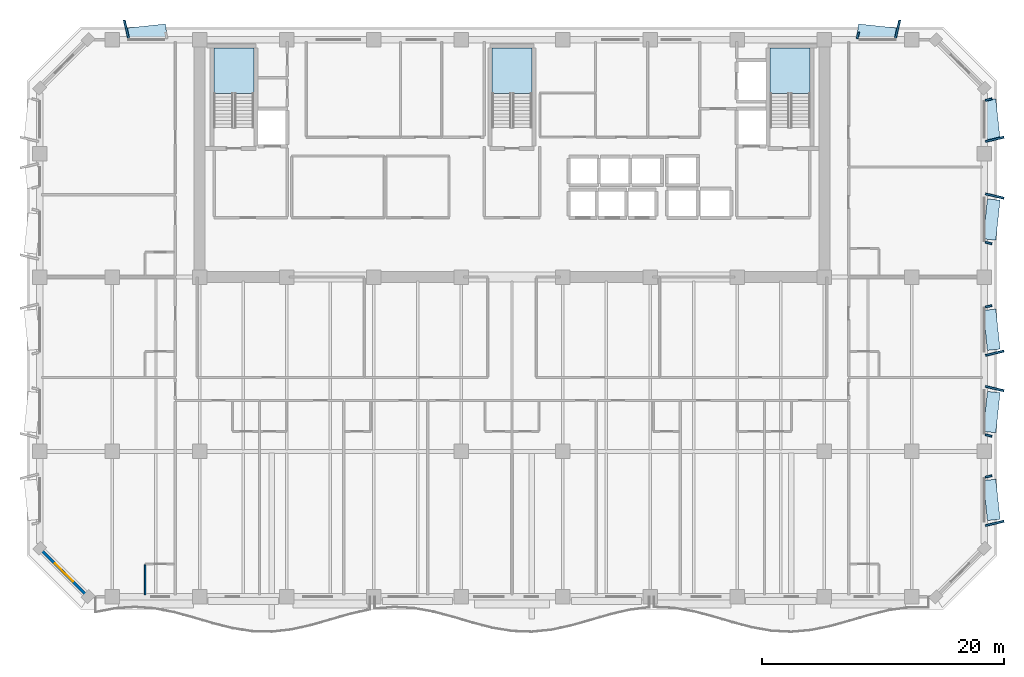
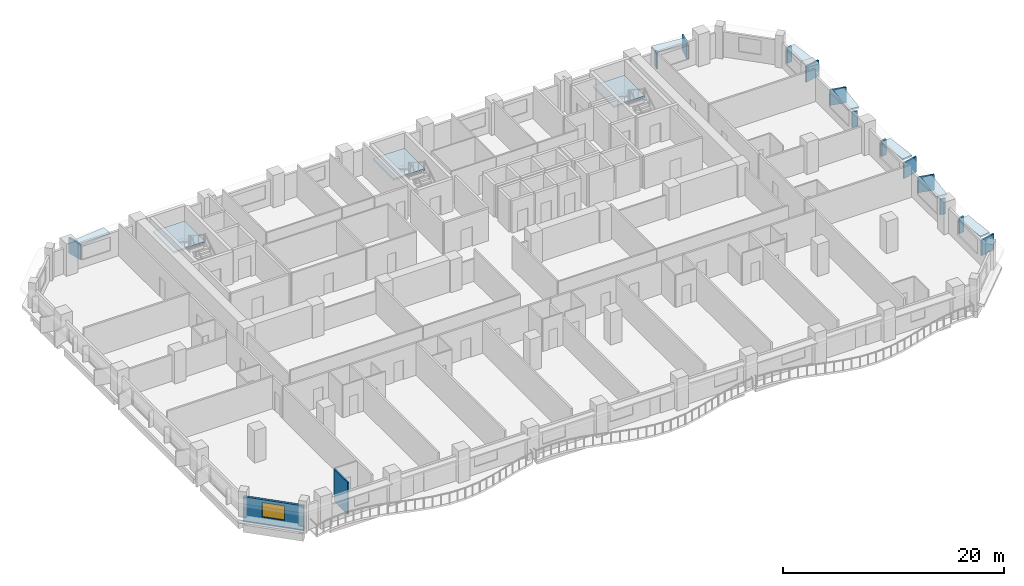
# One storey, part 3 of 14: 20 plates, 3 slabs, 2 walls, 1 window, 1 opening, 3 elements without a shape of their own.
"""IFC4 building model written with IfcOpenShell, lengths in metres."""

import ifcopenshell
import ifcopenshell.guid

model = None  # the IFC model being written
_history = None  # IfcOwnerHistory: only IFC2X3 demands one
_inside = {}  # id of a spatial element -> (the spatial element, [elements in it])
_under = {}  # id of a project, library or spatial element -> (it, [spatial elements below it])
_declared = {}  # id of a project -> (the project, [libraries it declares])
_typed = {}  # id of a type object -> (the type object, [elements of that type])
_made_of = {}  # id of a material, layer set ... -> (it, [elements and type objects made of it])


def new_model(schema):
    """Start an empty IFC model of exactly this schema.

    Asked for "IFC4X3", IfcOpenShell would pick the latest addendum, in which some entities
    have other attributes; the version numbers below select the first issue.
    IFC2X3 requires an IfcOwnerHistory on every rooted entity: one is made here for all.
    """
    global model, _history
    if schema == "IFC4X3":
        model = ifcopenshell.file(schema_version=(4, 3, 0, 0))
    else:
        model = ifcopenshell.file(schema=schema)
    _inside.clear()
    _under.clear()
    _declared.clear()
    _typed.clear()
    _made_of.clear()
    _history = None
    if model.schema == "IFC2X3":
        org = make("IfcOrganization", Name="unknown")
        user = make(
            "IfcPersonAndOrganization",
            ThePerson=make("IfcPerson", FamilyName="unknown"),
            TheOrganization=org,
        )
        app = make(
            "IfcApplication",
            ApplicationDeveloper=org,
            Version="unknown",
            ApplicationFullName="unknown",
            ApplicationIdentifier="unknown",
        )
        _history = make(
            "IfcOwnerHistory",
            OwningUser=user,
            OwningApplication=app,
            ChangeAction="ADDED",
            CreationDate=0,
        )
    return model


def make(cls, **values):
    """One entity of the class cls with the attributes given. An attribute that is None is left unset."""
    return model.create_entity(
        cls, **{name: value for name, value in values.items() if value is not None}
    )


def rooted(cls, **values):
    """An entity with a GlobalId (a new one), such as an element, a storey or a relation."""
    return make(cls, GlobalId=ifcopenshell.guid.new(), OwnerHistory=_history, **values)


def si_unit(unit_type, name, prefix=None):
    """IfcSIUnit, for example si_unit("LENGTHUNIT", "METRE", prefix="MILLI")."""
    return make("IfcSIUnit", UnitType=unit_type, Prefix=prefix, Name=name)


def assignment(units):
    """IfcUnitAssignment: the units of a project."""
    return None if units is None else make("IfcUnitAssignment", Units=units)


def point(xyz):
    """IfcCartesianPoint."""
    return None if xyz is None else make("IfcCartesianPoint", Coordinates=xyz)


def direction(xyz):
    """IfcDirection."""
    return None if xyz is None else make("IfcDirection", DirectionRatios=xyz)


def frame(location, z_axis=None, x_axis=None):
    """IfcAxis2Placement3D, a coordinate frame: its origin and axes. An axis left out is left unset."""
    return make(
        "IfcAxis2Placement3D",
        Location=point(location),
        Axis=direction(z_axis),
        RefDirection=direction(x_axis),
    )


def frame_2d(location, x_axis=None):
    """IfcAxis2Placement2D, a coordinate frame in the plane: its origin and x axis."""
    return make(
        "IfcAxis2Placement2D", Location=point(location), RefDirection=direction(x_axis)
    )


def origin():
    """The frame at (0, 0, 0) with its axes left unset."""
    return frame((0.0, 0.0, 0.0))


def origin_2d():
    """The frame at (0, 0) in the plane with its x axis left unset."""
    return frame_2d((0.0, 0.0))


def place(relative_to, where):
    """IfcLocalPlacement: puts the frame where relative to a parent placement (None: the world)."""
    return make(
        "IfcLocalPlacement", PlacementRelTo=relative_to, RelativePlacement=where
    )


def context(
    kind, dimensions, precision=None, world=None, true_north=None, identifier=None
):
    """IfcGeometricRepresentationContext, for example the 3D "Model" context."""
    return make(
        "IfcGeometricRepresentationContext",
        ContextIdentifier=identifier,
        ContextType=kind,
        CoordinateSpaceDimension=dimensions,
        Precision=precision,
        WorldCoordinateSystem=world,
        TrueNorth=true_north,
    )


def subcontext(parent, identifier, kind, view, scale=None):
    """IfcGeometricRepresentationSubContext, for example "Body" below "Model"."""
    return make(
        "IfcGeometricRepresentationSubContext",
        ContextIdentifier=identifier,
        ContextType=kind,
        ParentContext=parent,
        TargetScale=scale,
        TargetView=view,
    )


def project(units=None, contexts=None):
    """IfcProject with its units and contexts."""
    return rooted(
        "IfcProject",
        Name="project",
        RepresentationContexts=contexts,
        UnitsInContext=assignment(units),
    )


def spatial(cls, under=None, at=None, **own):
    """A site, building, storey or space (cls), placed at a placement, below another one or the project."""
    s = rooted(cls, ObjectPlacement=at, **own)
    if under is not None:
        _under.setdefault(under.id(), (under, []))[1].append(s)
    return s


def polyline(points):
    """IfcPolyline through the points."""
    return make("IfcPolyline", Points=[point(p) for p in points])


def profile(cls, at=None, kind="AREA", **sizes):
    """A parametric profile (cls). Its sizes go by their IFC names, for example OverallWidth=200.0."""
    return make(cls, ProfileType=kind, Position=at, **sizes)


def rectangle(**sizes):
    """IfcRectangleProfileDef."""
    return profile("IfcRectangleProfileDef", **sizes)


def outline(outer, holes=None, kind="AREA"):
    """IfcArbitraryClosedProfileDef: a profile drawn as a closed curve; with holes, ...WithVoids."""
    if holes is None:
        return make("IfcArbitraryClosedProfileDef", ProfileType=kind, OuterCurve=outer)
    return make(
        "IfcArbitraryProfileDefWithVoids",
        ProfileType=kind,
        OuterCurve=outer,
        InnerCurves=holes,
    )


def extrude(swept, where, along, depth):
    """IfcExtrudedAreaSolid: the profile swept, set in the frame where, extruded along a direction by depth."""
    return make(
        "IfcExtrudedAreaSolid",
        SweptArea=swept,
        Position=where,
        ExtrudedDirection=direction(along),
        Depth=depth,
    )


def shape(context_of_items, identifier, shape_type, items):
    """IfcShapeRepresentation: the items that make up one representation, for example the "Body"."""
    return make(
        "IfcShapeRepresentation",
        ContextOfItems=context_of_items,
        RepresentationIdentifier=identifier,
        RepresentationType=shape_type,
        Items=items,
    )


def material(Name=None, Category=None):
    """IfcMaterial."""
    return make("IfcMaterial", Name=Name, Category=Category)


def layer(
    of_material, thickness, ventilated=None, Name=None, Category=None, Priority=None
):
    """IfcMaterialLayer: one layer of a wall or slab, of a material (None: an air gap)."""
    return make(
        "IfcMaterialLayer",
        Material=of_material,
        LayerThickness=thickness,
        IsVentilated=ventilated,
        Name=Name,
        Category=Category,
        Priority=Priority,
    )


def layer_set(layers, Name=None):
    """IfcMaterialLayerSet."""
    return make("IfcMaterialLayerSet", MaterialLayers=layers, LayerSetName=Name)


def made_of(thing, what):
    """Note that an element or type object is made of a material, layer set ...; save() writes the relation."""
    if what is not None:
        _made_of.setdefault(what.id(), (what, []))[1].append(thing)
    return thing


def type_object(cls, material=None, **own):
    """A type object (cls), such as IfcWallType, which elements share."""
    return made_of(rooted(cls, **own), material)


def element(
    cls,
    number,
    at=None,
    inside=None,
    cuts=None,
    type_object=None,
    material=None,
    context=None,
    identifier="Body",
    shape_type=None,
    held_by="IfcProductDefinitionShape",
    body=None,
    shapes=None,
    **own,
):
    """One element of the class cls, such as IfcWall. Its Tag is "e" and its number.

    at: its placement. inside: the storey or other place that contains it. cuts: it is an
    opening in that element (IfcRelVoidsElement). A single representation is given by context,
    identifier, shape_type and body (its items); several are given by shapes. held_by: the class
    of the entity that holds the representations. save() writes the other relations.
    """
    e = rooted(cls, Tag="e%d" % number, ObjectPlacement=at, **own)
    if body is not None:
        shapes = [shape(context, identifier, shape_type, body)]
    if shapes is not None:
        e.Representation = make(held_by, Representations=shapes)
    if inside is not None:
        _inside.setdefault(inside.id(), (inside, []))[1].append(e)
    if cuts is not None:
        rooted(
            "IfcRelVoidsElement", RelatingBuildingElement=cuts, RelatedOpeningElement=e
        )
    if type_object is not None:
        _typed.setdefault(type_object.id(), (type_object, []))[1].append(e)
    return made_of(e, material)


def fill(opening, filler):
    """IfcRelFillsElement: the door or window that sits in an opening."""
    return rooted(
        "IfcRelFillsElement",
        RelatingOpeningElement=opening,
        RelatedBuildingElement=filler,
    )


def aggregate(whole, parts):
    """IfcRelAggregates: a whole, such as a stair, and the parts it consists of."""
    return rooted("IfcRelAggregates", RelatingObject=whole, RelatedObjects=parts)


def save(model, path):
    """Write the relations noted so far, then the file.

    IfcRelAggregates (storeys below a building ...), IfcRelContainedInSpatialStructure (elements
    in a storey), IfcRelDefinesByType, IfcRelAssociatesMaterial and IfcRelDeclares: one each for
    every whole, place, type object, material and project.
    """
    for whole, parts in _under.values():
        aggregate(whole, parts)
    for where, things in _inside.values():
        rooted(
            "IfcRelContainedInSpatialStructure",
            RelatedElements=things,
            RelatingStructure=where,
        )
    for kind, things in _typed.values():
        rooted("IfcRelDefinesByType", RelatedObjects=things, RelatingType=kind)
    for what, things in _made_of.values():
        rooted("IfcRelAssociatesMaterial", RelatedObjects=things, RelatingMaterial=what)
    for by, libraries in _declared.values():
        rooted("IfcRelDeclares", RelatingContext=by, RelatedDefinitions=libraries)
    model.write(path)


model = new_model("IFC4")

# Units and contexts
model_context = context("Model", 3, precision=1e-05, world=origin(), true_north=direction((0.0, 1.0)))
body_context = subcontext(model_context, "Body", "Model", "MODEL_VIEW")
ifc_project = project(units=[si_unit("LENGTHUNIT", "METRE"), si_unit("AREAUNIT", "SQUARE_METRE"), si_unit("VOLUMEUNIT", "CUBIC_METRE"), si_unit("PLANEANGLEUNIT", "RADIAN"), si_unit("MASSUNIT", "GRAM", prefix="KILO")], contexts=[model_context])

# Site, building, storey
site_placement = place(None, origin())
site = spatial("IfcSite", under=ifc_project, at=site_placement, CompositionType="ELEMENT")
building_placement = place(site_placement, origin())
building = spatial("IfcBuilding", under=site, at=building_placement, Name="Kaelvorn Grand Hotel", CompositionType="ELEMENT")
storey_placement = place(building_placement, frame((0.0, 0.0, 165.75)))
storey = spatial("IfcBuildingStorey", under=building, at=storey_placement, Name="L40", CompositionType="ELEMENT", Elevation=165.75)

# Plates
ifc_material_1 = material(Name="Precast concrete C45/55", Category="concrete")
ifc_layer_1 = layer(ifc_material_1, 0.159912109375)
ifc_layer_set_1 = layer_set([ifc_layer_1], Name="Precast concrete C45/55")
plate_type_1 = type_object("IfcPlateType", Name="PL-FRAME-DEEP-1550", PredefinedType="USERDEFINED", material=ifc_layer_set_1)
for number, where, z_axis, x_axis, name in (
    (1, (81.85498046875, 9.06005859375, 0.81494140625), (0.0, 0.0, 1.0), (-0.233445363856, 0.972369920398, 0.0), "L40 Tilted Precast Window Frame Fin L-E01"),
    (2, (81.85498046875, 20.18994140625, 0.81494140625), (0.0, 0.0, 1.0), (0.233445363856, 0.972369920398, 0.0), "L40 Tilted Precast Window Frame Fin R-E02"),
    (3, (81.85498046875, 23.110107421875, 0.81494140625), (0.0, 0.0, 1.0), (-0.233445363856, 0.972369920398, 0.0), "L40 Tilted Precast Window Frame Fin L-E03"),
    (4, (81.85498046875, 36.090087890625, 0.81494140625), (0.0, 0.0, 1.0), (0.233445363856, 0.972369920398, 0.0), "L40 Tilted Precast Window Frame Fin R-E04"),
    (5, (81.85498046875, 40.77490234375, 0.740234375), (0.0, 0.0, 1.0), (-0.233445363856, 0.972369920398, 0.0), "L40 Tilted Precast Window Frame Fin L-E05"),
    (6, (10.159912109375, 49.85498046875, 0.740234375), (0.0, 0.0, 1.0), (0.972369920398, 0.233445363856, 0.0), "L40 Tilted Precast Window Frame Fin L-N01"),
    (7, (73.840087890625, 49.85498046875, 0.740234375), (0.0, 0.0, 1.0), (0.972369920398, -0.233445363856, 0.0), "L40 Tilted Precast Window Frame Fin R-N02"),
):
    element("IfcPlate", number, at=place(storey_placement, frame(where, z_axis=z_axis, x_axis=x_axis)), inside=storey, type_object=plate_type_1, Name=name, ObjectType="FLANGE_PLATE", PredefinedType="USERDEFINED", context=body_context, shape_type="SweptSolid", body=[
        extrude(rectangle(XDim=0.159912109375, YDim=1.550048828125, at=origin_2d()), origin(), (0.0, 0.0, 1.0), 1.719970703125),
    ])
ifc_layer_2 = layer(ifc_material_1, 0.159912109375)
ifc_layer_set_2 = layer_set([ifc_layer_2], Name="Precast concrete C45/55")
plate_type_2 = type_object("IfcPlateType", Name="PL-FRAME-HEAD-1050", PredefinedType="USERDEFINED", material=ifc_layer_set_2)
for number, where, z_axis, x_axis, name in (
    (8, (81.60498046875, 11.0, 2.5), (0.0, 0.0, 1.0), (-0.105830199459, 0.994384215926, 0.0), "L40 Precast Window Frame Head Hood H-E01"),
    (9, (81.60498046875, 18.25, 2.5), (0.0, 0.0, 1.0), (0.105830199459, 0.994384215926, 0.0), "L40 Precast Window Frame Head Hood H-E02"),
    (10, (81.60498046875, 25.050048828125, 2.5), (0.0, 0.0, 1.0), (-0.105830199459, 0.994384215926, 0.0), "L40 Precast Window Frame Head Hood H-E03"),
    (11, (81.60498046875, 34.14990234375, 2.5), (0.0, 0.0, 1.0), (0.105830199459, 0.994384215926, 0.0), "L40 Precast Window Frame Head Hood H-E04"),
    (12, (81.60498046875, 42.4150390625, 2.35009765625), (0.0, 0.0, 1.0), (-0.105830199459, 0.994384215926, 0.0), "L40 Precast Window Frame Head Hood H-E05"),
    (13, (11.800048828125, 49.60498046875, 2.35009765625), (0.0, 0.0, 1.0), (0.994384215926, 0.105830199459, 0.0), "L40 Precast Window Frame Head Hood H-N01"),
    (14, (72.199951171875, 49.60498046875, 2.35009765625), (0.0, 0.0, 1.0), (0.994384215926, -0.105830199459, 0.0), "L40 Precast Window Frame Head Hood H-N02"),
):
    element("IfcPlate", number, at=place(storey_placement, frame(where, z_axis=z_axis, x_axis=x_axis)), inside=storey, type_object=plate_type_2, Name=name, ObjectType="FLANGE_PLATE", PredefinedType="USERDEFINED", context=body_context, shape_type="SweptSolid", body=[
        extrude(rectangle(XDim=3.320068359375, YDim=1.050048828125, at=origin_2d()), origin(), (0.0, 0.0, 1.0), 0.159912109375),
    ])
ifc_layer_3 = layer(ifc_material_1, 0.159912109375)
ifc_layer_set_3 = layer_set([ifc_layer_3], Name="Precast concrete C45/55")
plate_type_3 = type_object("IfcPlateType", Name="PL-FRAME-SHAL-550", PredefinedType="USERDEFINED", material=ifc_layer_set_3)
for number, where, z_axis, x_axis, name in (
    (15, (81.35498046875, 12.93994140625, 0.81494140625), (0.0, 0.0, 1.0), (-0.233445363856, 0.972369920398, 0.0), "L40 Tilted Precast Window Frame Fin R-E01"),
    (16, (81.35498046875, 16.31005859375, 0.81494140625), (0.0, 0.0, 1.0), (0.233445363856, 0.972369920398, 0.0), "L40 Tilted Precast Window Frame Fin L-E02"),
    (17, (81.35498046875, 26.989990234375, 0.81494140625), (0.0, 0.0, 1.0), (-0.233445363856, 0.972369920398, 0.0), "L40 Tilted Precast Window Frame Fin R-E03"),
    (18, (81.35498046875, 32.2099609375, 0.81494140625), (0.0, 0.0, 1.0), (0.233445363856, 0.972369920398, 0.0), "L40 Tilted Precast Window Frame Fin L-E04"),
    (19, (81.35498046875, 44.054931640625, 0.740234375), (0.0, 0.0, 1.0), (-0.233445363856, 0.972369920398, 0.0), "L40 Tilted Precast Window Frame Fin R-E05"),
    (20, (70.56005859375, 49.35498046875, 0.740234375), (0.0, 0.0, 1.0), (0.972369920398, -0.233445363856, 0.0), "L40 Tilted Precast Window Frame Fin L-N02"),
):
    element("IfcPlate", number, at=place(storey_placement, frame(where, z_axis=z_axis, x_axis=x_axis)), inside=storey, type_object=plate_type_3, Name=name, ObjectType="FLANGE_PLATE", PredefinedType="USERDEFINED", context=body_context, shape_type="SweptSolid", body=[
        extrude(rectangle(XDim=0.159912109375, YDim=0.550048828125, at=origin_2d()), origin(), (0.0, 0.0, 1.0), 1.719970703125),
    ])

# Stair, slab
ifc_material_2 = material(Name="Concrete C40/50", Category="concrete")
stair_type = type_object("IfcStairType", Name="STR-DOG-1560-R08", PredefinedType="HALF_TURN_STAIR", material=ifc_material_2)
stair_1_placement = place(storey_placement, origin())
stair_1 = element("IfcStair", 21, at=stair_1_placement, inside=storey, type_object=stair_type, Name="L40 West Core Exit Stair ST1", PredefinedType="HALF_TURN_STAIR")
ifc_layer_4 = layer(ifc_material_2, 0.199951171875)
ifc_layer_set_4 = layer_set([ifc_layer_4], Name="Concrete C40/50")
slab_type = type_object("IfcSlabType", Name="SLB-LAND-200-C40", PredefinedType="LANDING", material=ifc_layer_set_4)
slab_1_placement = place(storey_placement, frame((0.0, 0.0, 1.699951171875)))
slab_1 = element("IfcSlab", 22, at=slab_1_placement, type_object=slab_type, Name="ST1 landing 1", PredefinedType="LANDING", context=body_context, shape_type="SweptSolid", body=[
    extrude(outline(polyline([(20.679931640625, 44.56005859375), (20.679931640625, 48.300048828125), (17.39990234375, 48.300048828125), (17.39990234375, 44.56005859375), (20.679931640625, 44.56005859375)])), origin(), (0.0, 0.0, 1.0), 0.199951171875),
])
aggregate(stair_1, [slab_1])

stair_2_placement = place(storey_placement, origin())
stair_2 = element("IfcStair", 23, at=stair_2_placement, inside=storey, type_object=stair_type, Name="L40 Central Core Exit Stair ST2", PredefinedType="HALF_TURN_STAIR")
slab_2_placement = place(storey_placement, frame((0.0, 0.0, 1.699951171875)))
slab_2 = element("IfcSlab", 24, at=slab_2_placement, type_object=slab_type, Name="ST2 landing 1", PredefinedType="LANDING", context=body_context, shape_type="SweptSolid", body=[
    extrude(outline(polyline([(43.639892578125, 44.56005859375), (43.639892578125, 48.300048828125), (40.360107421875, 48.300048828125), (40.360107421875, 44.56005859375), (43.639892578125, 44.56005859375)])), origin(), (0.0, 0.0, 1.0), 0.199951171875),
])
aggregate(stair_2, [slab_2])

stair_3_placement = place(storey_placement, origin())
stair_3 = element("IfcStair", 25, at=stair_3_placement, inside=storey, type_object=stair_type, Name="L40 East Core Exit Stair ST3", PredefinedType="HALF_TURN_STAIR")
slab_3_placement = place(storey_placement, frame((0.0, 0.0, 1.699951171875)))
slab_3 = element("IfcSlab", 26, at=slab_3_placement, type_object=slab_type, Name="ST3 landing 1", PredefinedType="LANDING", context=body_context, shape_type="SweptSolid", body=[
    extrude(outline(polyline([(66.60009765625, 44.56005859375), (66.60009765625, 48.300048828125), (63.320068359375, 48.300048828125), (63.320068359375, 44.56005859375), (66.60009765625, 44.56005859375)])), origin(), (0.0, 0.0, 1.0), 0.199951171875),
])
aggregate(stair_3, [slab_3])

# Wall, opening, window
ifc_layer_5 = layer(ifc_material_2, 0.239990234375)
ifc_layer_set_5 = layer_set([ifc_layer_5], Name="Concrete C40/50")
wall_type_1 = type_object("IfcWallType", Name="WL-EXT-240-C40", PredefinedType="SOLIDWALL", material=ifc_layer_set_5)
wall_1_placement = place(storey_placement, frame((3.0, 7.0, 0.0), z_axis=(0.0, 0.0, 1.0), x_axis=(0.707106781187, -0.707106781187, 0.0)))
wall_1 = element("IfcWall", 27, at=wall_1_placement, inside=storey, type_object=wall_type_1, Name="L40 Exterior Architectural Concrete Wall 08", PredefinedType="SOLIDWALL", context=body_context, shape_type="SweptSolid", body=[
    extrude(rectangle(XDim=5.65673828125, YDim=0.239990234375, at=frame_2d((2.828369140625, 0.0))), origin(), (0.0, 0.0, 1.0), 2.760009765625),
])
opening_placement = place(wall_1_placement, frame((1.7783203125, 0.0, 0.85009765625)))
opening = element("IfcOpeningElement", 28, at=opening_placement, cuts=wall_1, Name="Opening W7", PredefinedType="OPENING", context=body_context, shape_type="SweptSolid", body=[
    extrude(rectangle(XDim=2.10009765625, YDim=1.60009765625, at=frame_2d((1.050048828125, 0.800048828125))), frame((0.0, 0.1298828125, 0.0), z_axis=(0.0, -1.0, 0.0), x_axis=(1.0, 0.0, 0.0)), (0.0, 0.0, 1.0), 0.260009765625),
])
ifc_material_3 = material(Name="Laminated Low-E Glass", Category="glass")
window_type = type_object("IfcWindowType", Name="WIN-CHM-2100x1600", PartitioningType="SINGLE_PANEL", PredefinedType="WINDOW", material=ifc_material_3)
window_placement = place(opening_placement, origin())
window = element("IfcWindow", 29, at=window_placement, inside=storey, type_object=window_type, Name="L40 Chamfered 45-Degree Corner Window SW", OverallHeight=1.60009765625, OverallWidth=2.10009765625, PartitioningType="SINGLE_PANEL", PredefinedType="WINDOW", context=body_context, shape_type="SweptSolid", body=[
    extrude(rectangle(XDim=2.10009765625, YDim=1.60009765625, at=frame_2d((1.050048828125, 0.800048828125))), frame((0.0, 0.030029296875, 0.0), z_axis=(0.0, -1.0, 0.0), x_axis=(1.0, 0.0, 0.0)), (0.0, 0.0, 1.0), 0.06005859375),
])
fill(opening, window)

# Wall
ifc_material_4 = material(Name="Moisture-Resistant Tile & Stud Board")
ifc_layer_6 = layer(ifc_material_4, 0.125)
ifc_layer_set_6 = layer_set([ifc_layer_6], Name="Moisture-Resistant Tile & Stud Board")
wall_type_2 = type_object("IfcWallType", Name="WL-PART-125-WET", PredefinedType="PARTITIONING", material=ifc_layer_set_6)
wall_2_placement = place(storey_placement, frame((11.699951171875, 3.14990234375, 0.0), z_axis=(0.0, 0.0, 1.0), x_axis=(0.0, 1.0, 0.0)))
element("IfcWall", 30, at=wall_2_placement, inside=storey, type_object=wall_type_2, Name="L40 En-suite Bathroom L40-09 W Partition", PredefinedType="PARTITIONING", context=body_context, shape_type="SweptSolid", body=[
    extrude(rectangle(XDim=2.482666015625, YDim=0.125, at=frame_2d((1.2412109375, 0.0))), origin(), (0.0, 0.0, 1.0), 3.56005859375),
])

save(model, "model.ifc")
